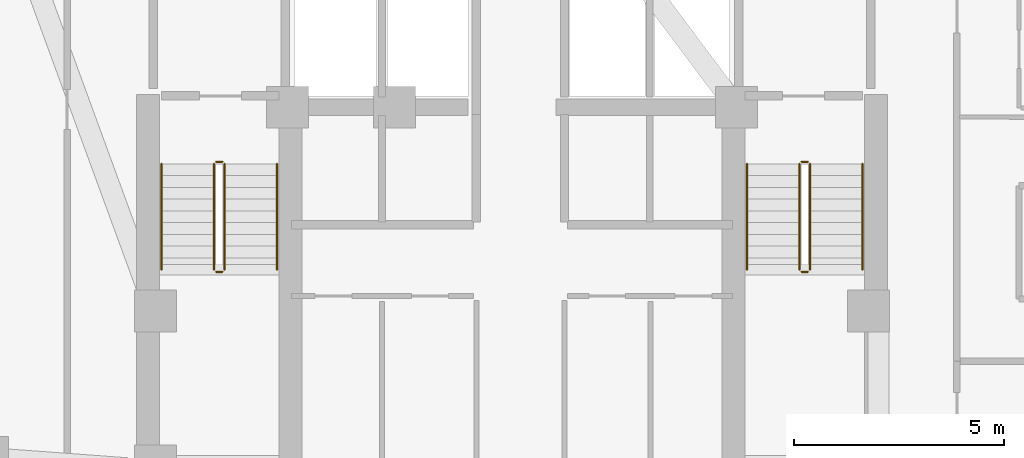
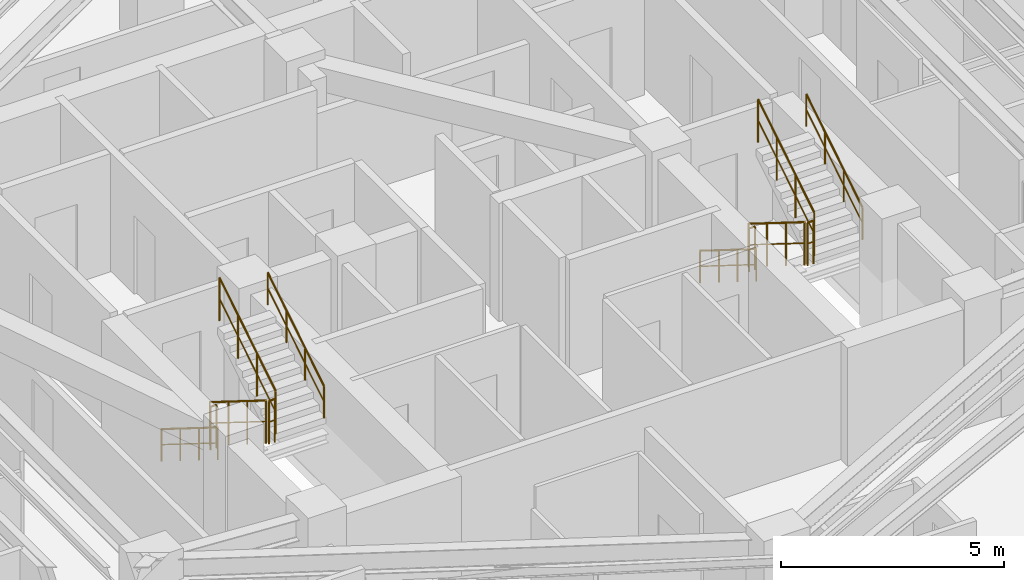
# One storey, part 11 of 11: 12 railings.
"""IFC4 building model written with IfcOpenShell, lengths in metres."""

import ifcopenshell
import ifcopenshell.guid

model = None  # the IFC model being written
_history = None  # IfcOwnerHistory: only IFC2X3 demands one
_inside = {}  # id of a spatial element -> (the spatial element, [elements in it])
_under = {}  # id of a project, library or spatial element -> (it, [spatial elements below it])
_declared = {}  # id of a project -> (the project, [libraries it declares])
_typed = {}  # id of a type object -> (the type object, [elements of that type])
_made_of = {}  # id of a material, layer set ... -> (it, [elements and type objects made of it])


def new_model(schema):
    """Start an empty IFC model of exactly this schema.

    Asked for "IFC4X3", IfcOpenShell would pick the latest addendum, in which some entities
    have other attributes; the version numbers below select the first issue.
    IFC2X3 requires an IfcOwnerHistory on every rooted entity: one is made here for all.
    """
    global model, _history
    if schema == "IFC4X3":
        model = ifcopenshell.file(schema_version=(4, 3, 0, 0))
    else:
        model = ifcopenshell.file(schema=schema)
    _inside.clear()
    _under.clear()
    _declared.clear()
    _typed.clear()
    _made_of.clear()
    _history = None
    if model.schema == "IFC2X3":
        org = make("IfcOrganization", Name="unknown")
        user = make(
            "IfcPersonAndOrganization",
            ThePerson=make("IfcPerson", FamilyName="unknown"),
            TheOrganization=org,
        )
        app = make(
            "IfcApplication",
            ApplicationDeveloper=org,
            Version="unknown",
            ApplicationFullName="unknown",
            ApplicationIdentifier="unknown",
        )
        _history = make(
            "IfcOwnerHistory",
            OwningUser=user,
            OwningApplication=app,
            ChangeAction="ADDED",
            CreationDate=0,
        )
    return model


def make(cls, **values):
    """One entity of the class cls with the attributes given. An attribute that is None is left unset."""
    return model.create_entity(
        cls, **{name: value for name, value in values.items() if value is not None}
    )


def rooted(cls, **values):
    """An entity with a GlobalId (a new one), such as an element, a storey or a relation."""
    return make(cls, GlobalId=ifcopenshell.guid.new(), OwnerHistory=_history, **values)


def si_unit(unit_type, name, prefix=None):
    """IfcSIUnit, for example si_unit("LENGTHUNIT", "METRE", prefix="MILLI")."""
    return make("IfcSIUnit", UnitType=unit_type, Prefix=prefix, Name=name)


def assignment(units):
    """IfcUnitAssignment: the units of a project."""
    return None if units is None else make("IfcUnitAssignment", Units=units)


def point(xyz):
    """IfcCartesianPoint."""
    return None if xyz is None else make("IfcCartesianPoint", Coordinates=xyz)


def direction(xyz):
    """IfcDirection."""
    return None if xyz is None else make("IfcDirection", DirectionRatios=xyz)


def frame(location, z_axis=None, x_axis=None):
    """IfcAxis2Placement3D, a coordinate frame: its origin and axes. An axis left out is left unset."""
    return make(
        "IfcAxis2Placement3D",
        Location=point(location),
        Axis=direction(z_axis),
        RefDirection=direction(x_axis),
    )


def frame_2d(location, x_axis=None):
    """IfcAxis2Placement2D, a coordinate frame in the plane: its origin and x axis."""
    return make(
        "IfcAxis2Placement2D", Location=point(location), RefDirection=direction(x_axis)
    )


def origin():
    """The frame at (0, 0, 0) with its axes left unset."""
    return frame((0.0, 0.0, 0.0))


def origin_2d():
    """The frame at (0, 0) in the plane with its x axis left unset."""
    return frame_2d((0.0, 0.0))


def place(relative_to, where):
    """IfcLocalPlacement: puts the frame where relative to a parent placement (None: the world)."""
    return make(
        "IfcLocalPlacement", PlacementRelTo=relative_to, RelativePlacement=where
    )


def context(
    kind, dimensions, precision=None, world=None, true_north=None, identifier=None
):
    """IfcGeometricRepresentationContext, for example the 3D "Model" context."""
    return make(
        "IfcGeometricRepresentationContext",
        ContextIdentifier=identifier,
        ContextType=kind,
        CoordinateSpaceDimension=dimensions,
        Precision=precision,
        WorldCoordinateSystem=world,
        TrueNorth=true_north,
    )


def subcontext(parent, identifier, kind, view, scale=None):
    """IfcGeometricRepresentationSubContext, for example "Body" below "Model"."""
    return make(
        "IfcGeometricRepresentationSubContext",
        ContextIdentifier=identifier,
        ContextType=kind,
        ParentContext=parent,
        TargetScale=scale,
        TargetView=view,
    )


def project(units=None, contexts=None):
    """IfcProject with its units and contexts."""
    return rooted(
        "IfcProject",
        Name="project",
        RepresentationContexts=contexts,
        UnitsInContext=assignment(units),
    )


def spatial(cls, under=None, at=None, **own):
    """A site, building, storey or space (cls), placed at a placement, below another one or the project."""
    s = rooted(cls, ObjectPlacement=at, **own)
    if under is not None:
        _under.setdefault(under.id(), (under, []))[1].append(s)
    return s


def profile(cls, at=None, kind="AREA", **sizes):
    """A parametric profile (cls). Its sizes go by their IFC names, for example OverallWidth=200.0."""
    return make(cls, ProfileType=kind, Position=at, **sizes)


def circle(**sizes):
    """IfcCircleProfileDef."""
    return profile("IfcCircleProfileDef", **sizes)


def extrude(swept, where, along, depth):
    """IfcExtrudedAreaSolid: the profile swept, set in the frame where, extruded along a direction by depth."""
    return make(
        "IfcExtrudedAreaSolid",
        SweptArea=swept,
        Position=where,
        ExtrudedDirection=direction(along),
        Depth=depth,
    )


def shape(context_of_items, identifier, shape_type, items):
    """IfcShapeRepresentation: the items that make up one representation, for example the "Body"."""
    return make(
        "IfcShapeRepresentation",
        ContextOfItems=context_of_items,
        RepresentationIdentifier=identifier,
        RepresentationType=shape_type,
        Items=items,
    )


def material(Name=None, Category=None):
    """IfcMaterial."""
    return make("IfcMaterial", Name=Name, Category=Category)


def made_of(thing, what):
    """Note that an element or type object is made of a material, layer set ...; save() writes the relation."""
    if what is not None:
        _made_of.setdefault(what.id(), (what, []))[1].append(thing)
    return thing


def type_object(cls, material=None, **own):
    """A type object (cls), such as IfcWallType, which elements share."""
    return made_of(rooted(cls, **own), material)


def element(
    cls,
    number,
    at=None,
    inside=None,
    cuts=None,
    type_object=None,
    material=None,
    context=None,
    identifier="Body",
    shape_type=None,
    held_by="IfcProductDefinitionShape",
    body=None,
    shapes=None,
    **own,
):
    """One element of the class cls, such as IfcWall. Its Tag is "e" and its number.

    at: its placement. inside: the storey or other place that contains it. cuts: it is an
    opening in that element (IfcRelVoidsElement). A single representation is given by context,
    identifier, shape_type and body (its items); several are given by shapes. held_by: the class
    of the entity that holds the representations. save() writes the other relations.
    """
    e = rooted(cls, Tag="e%d" % number, ObjectPlacement=at, **own)
    if body is not None:
        shapes = [shape(context, identifier, shape_type, body)]
    if shapes is not None:
        e.Representation = make(held_by, Representations=shapes)
    if inside is not None:
        _inside.setdefault(inside.id(), (inside, []))[1].append(e)
    if cuts is not None:
        rooted(
            "IfcRelVoidsElement", RelatingBuildingElement=cuts, RelatedOpeningElement=e
        )
    if type_object is not None:
        _typed.setdefault(type_object.id(), (type_object, []))[1].append(e)
    return made_of(e, material)


def aggregate(whole, parts):
    """IfcRelAggregates: a whole, such as a stair, and the parts it consists of."""
    return rooted("IfcRelAggregates", RelatingObject=whole, RelatedObjects=parts)


def save(model, path):
    """Write the relations noted so far, then the file.

    IfcRelAggregates (storeys below a building ...), IfcRelContainedInSpatialStructure (elements
    in a storey), IfcRelDefinesByType, IfcRelAssociatesMaterial and IfcRelDeclares: one each for
    every whole, place, type object, material and project.
    """
    for whole, parts in _under.values():
        aggregate(whole, parts)
    for where, things in _inside.values():
        rooted(
            "IfcRelContainedInSpatialStructure",
            RelatedElements=things,
            RelatingStructure=where,
        )
    for kind, things in _typed.values():
        rooted("IfcRelDefinesByType", RelatedObjects=things, RelatingType=kind)
    for what, things in _made_of.values():
        rooted("IfcRelAssociatesMaterial", RelatedObjects=things, RelatingMaterial=what)
    for by, libraries in _declared.values():
        rooted("IfcRelDeclares", RelatingContext=by, RelatedDefinitions=libraries)
    model.write(path)


model = new_model("IFC4")

# Units and contexts
model_context = context("Model", 3, precision=1e-05, world=origin(), true_north=direction((0.0, 1.0)))
body_context = subcontext(model_context, "Body", "Model", "MODEL_VIEW")
ifc_project = project(units=[si_unit("LENGTHUNIT", "METRE"), si_unit("AREAUNIT", "SQUARE_METRE"), si_unit("VOLUMEUNIT", "CUBIC_METRE"), si_unit("PLANEANGLEUNIT", "RADIAN"), si_unit("MASSUNIT", "GRAM", prefix="KILO")], contexts=[model_context])

# Site, building, storey
site_placement = place(None, origin())
site = spatial("IfcSite", under=ifc_project, at=site_placement, CompositionType="ELEMENT")
building_placement = place(site_placement, origin())
building = spatial("IfcBuilding", under=site, at=building_placement, Name="Miruveldt Soraemaru", CompositionType="ELEMENT")
storey_placement = place(building_placement, frame((0.0, 0.0, 100.39990234375)))
storey = spatial("IfcBuildingStorey", under=building, at=storey_placement, Name="L27", CompositionType="ELEMENT", Elevation=100.39990234375)

# Railings
ifc_material = material(Name="Steel S355 (355 MPa)", Category="steel")
railing_type_1 = type_object("IfcRailingType", Name="RAIL-HR-900", PredefinedType="HANDRAIL", material=ifc_material)
railing_1_placement = place(storey_placement, frame((35.64990234375, 42.699951171875, 0.175048828125)))
element("IfcRailing", 1, at=railing_1_placement, inside=storey, type_object=railing_type_1, Name="L27 ST-1 stair handrail 1", PredefinedType="HANDRAIL", context=body_context, shape_type="SweptSolid", body=[
    extrude(circle(Radius=0.02392578125, at=origin_2d()), frame((0.0, 0.0, 0.8759765625), z_axis=(0.0, -0.848007534815, 0.529984170421), x_axis=(1.0, 0.0, 0.0)), (0.0, 0.0, 1.0), 2.9716796875),
    extrude(circle(Radius=0.01611328125, at=origin_2d()), frame((0.0, 0.0, 0.449951171875), z_axis=(0.0, -0.848007534815, 0.529984170421), x_axis=(1.0, 0.0, 0.0)), (0.0, 0.0, 1.0), 2.9716796875),
    extrude(circle(Radius=0.02099609375, at=origin_2d()), origin(), (0.0, 0.0, 1.0), 0.851806640625),
    extrude(circle(Radius=0.02099609375, at=origin_2d()), frame((0.0, -0.840087890625, 0.52490234375)), (0.0, 0.0, 1.0), 0.851806640625),
    extrude(circle(Radius=0.02099609375, at=origin_2d()), frame((0.0, -1.679931640625, 1.050048828125)), (0.0, 0.0, 1.0), 0.851806640625),
    extrude(circle(Radius=0.02099609375, at=origin_2d()), frame((0.0, -2.52001953125, 1.574951171875)), (0.0, 0.0, 1.0), 0.851806640625),
])
railing_2_placement = place(storey_placement, frame((38.39990234375, 40.179931640625, 1.925048828125)))
element("IfcRailing", 2, at=railing_2_placement, inside=storey, type_object=railing_type_1, Name="L27 ST-1 stair handrail 2", PredefinedType="HANDRAIL", context=body_context, shape_type="SweptSolid", body=[
    extrude(circle(Radius=0.02392578125, at=origin_2d()), frame((0.0, 0.0, 0.8759765625), z_axis=(0.0, 0.848007534815, 0.529984170421), x_axis=(-1.0, 0.0, 0.0)), (0.0, 0.0, 1.0), 2.9716796875),
    extrude(circle(Radius=0.01611328125, at=origin_2d()), frame((0.0, 0.0, 0.449951171875), z_axis=(0.0, 0.848007534815, 0.529984170421), x_axis=(-1.0, 0.0, 0.0)), (0.0, 0.0, 1.0), 2.9716796875),
    extrude(circle(Radius=0.02099609375, at=origin_2d()), origin(), (0.0, 0.0, 1.0), 0.851806640625),
    extrude(circle(Radius=0.02099609375, at=origin_2d()), frame((0.0, 0.840087890625, 0.52490234375)), (0.0, 0.0, 1.0), 0.851806640625),
    extrude(circle(Radius=0.02099609375, at=origin_2d()), frame((0.0, 1.679931640625, 1.050048828125)), (0.0, 0.0, 1.0), 0.851806640625),
    extrude(circle(Radius=0.02099609375, at=origin_2d()), frame((0.0, 2.52001953125, 1.574951171875)), (0.0, 0.0, 1.0), 0.851806640625),
])
railing_3_placement = place(storey_placement, frame((49.60009765625, 42.699951171875, 0.175048828125)))
element("IfcRailing", 3, at=railing_3_placement, inside=storey, type_object=railing_type_1, Name="L27 ST-2 stair handrail 1", PredefinedType="HANDRAIL", context=body_context, shape_type="SweptSolid", body=[
    extrude(circle(Radius=0.02392578125, at=origin_2d()), frame((0.0, 0.0, 0.8759765625), z_axis=(0.0, -0.848007534815, 0.529984170421), x_axis=(1.0, 0.0, 0.0)), (0.0, 0.0, 1.0), 2.9716796875),
    extrude(circle(Radius=0.01611328125, at=origin_2d()), frame((0.0, 0.0, 0.449951171875), z_axis=(0.0, -0.848007534815, 0.529984170421), x_axis=(1.0, 0.0, 0.0)), (0.0, 0.0, 1.0), 2.9716796875),
    extrude(circle(Radius=0.02099609375, at=origin_2d()), origin(), (0.0, 0.0, 1.0), 0.851806640625),
    extrude(circle(Radius=0.02099609375, at=origin_2d()), frame((0.0, -0.840087890625, 0.52490234375)), (0.0, 0.0, 1.0), 0.851806640625),
    extrude(circle(Radius=0.02099609375, at=origin_2d()), frame((0.0, -1.679931640625, 1.050048828125)), (0.0, 0.0, 1.0), 0.851806640625),
    extrude(circle(Radius=0.02099609375, at=origin_2d()), frame((0.0, -2.52001953125, 1.574951171875)), (0.0, 0.0, 1.0), 0.851806640625),
])
railing_4_placement = place(storey_placement, frame((52.35009765625, 40.179931640625, 1.925048828125)))
element("IfcRailing", 4, at=railing_4_placement, inside=storey, type_object=railing_type_1, Name="L27 ST-2 stair handrail 2", PredefinedType="HANDRAIL", context=body_context, shape_type="SweptSolid", body=[
    extrude(circle(Radius=0.02392578125, at=origin_2d()), frame((0.0, 0.0, 0.8759765625), z_axis=(0.0, 0.848007534815, 0.529984170421), x_axis=(-1.0, 0.0, 0.0)), (0.0, 0.0, 1.0), 2.9716796875),
    extrude(circle(Radius=0.01611328125, at=origin_2d()), frame((0.0, 0.0, 0.449951171875), z_axis=(0.0, 0.848007534815, 0.529984170421), x_axis=(-1.0, 0.0, 0.0)), (0.0, 0.0, 1.0), 2.9716796875),
    extrude(circle(Radius=0.02099609375, at=origin_2d()), origin(), (0.0, 0.0, 1.0), 0.851806640625),
    extrude(circle(Radius=0.02099609375, at=origin_2d()), frame((0.0, 0.840087890625, 0.52490234375)), (0.0, 0.0, 1.0), 0.851806640625),
    extrude(circle(Radius=0.02099609375, at=origin_2d()), frame((0.0, 1.679931640625, 1.050048828125)), (0.0, 0.0, 1.0), 0.851806640625),
    extrude(circle(Radius=0.02099609375, at=origin_2d()), frame((0.0, 2.52001953125, 1.574951171875)), (0.0, 0.0, 1.0), 0.851806640625),
])
railing_type_2 = type_object("IfcRailingType", Name="RAIL-STGUARD-1200", PredefinedType="GUARDRAIL", material=ifc_material)
railing_5_placement = place(storey_placement, frame((36.89990234375, 42.699951171875, 0.175048828125)))
element("IfcRailing", 5, at=railing_5_placement, inside=storey, type_object=railing_type_2, Name="L27 ST-1 stair guard 1", PredefinedType="GUARDRAIL", context=body_context, shape_type="SweptSolid", body=[
    extrude(circle(Radius=0.02392578125, at=origin_2d()), frame((0.0, 0.0, 1.17578125), z_axis=(0.0, -0.848007534815, 0.529984170421), x_axis=(1.0, 0.0, 0.0)), (0.0, 0.0, 1.0), 2.9716796875),
    extrude(circle(Radius=0.01611328125, at=origin_2d()), frame((0.0, 0.0, 0.60009765625), z_axis=(0.0, -0.848007534815, 0.529984170421), x_axis=(1.0, 0.0, 0.0)), (0.0, 0.0, 1.0), 2.9716796875),
    extrude(circle(Radius=0.02099609375, at=origin_2d()), origin(), (0.0, 0.0, 1.0), 1.15185546875),
    extrude(circle(Radius=0.02099609375, at=origin_2d()), frame((0.0, -0.840087890625, 0.52490234375)), (0.0, 0.0, 1.0), 1.15185546875),
    extrude(circle(Radius=0.02099609375, at=origin_2d()), frame((0.0, -1.679931640625, 1.050048828125)), (0.0, 0.0, 1.0), 1.15185546875),
    extrude(circle(Radius=0.02099609375, at=origin_2d()), frame((0.0, -2.52001953125, 1.574951171875)), (0.0, 0.0, 1.0), 1.15185546875),
])
railing_6_placement = place(storey_placement, frame((36.949951171875, 40.1298828125, 1.75)))
element("IfcRailing", 6, at=railing_6_placement, inside=storey, type_object=railing_type_2, Name="L27 ST-1 stair guard 2", PredefinedType="GUARDRAIL", context=body_context, shape_type="SweptSolid", body=[
    extrude(circle(Radius=0.02392578125, at=origin_2d()), frame((0.0, 0.0, 1.17578125), z_axis=(1.0, 0.0, 0.0), x_axis=(0.0, 1.0, 0.0)), (0.0, 0.0, 1.0), 0.150146484375),
    extrude(circle(Radius=0.01611328125, at=origin_2d()), frame((0.0, 0.0, 0.60009765625), z_axis=(1.0, 0.0, 0.0), x_axis=(0.0, 1.0, 0.0)), (0.0, 0.0, 1.0), 0.150146484375),
    extrude(circle(Radius=0.02099609375, at=origin_2d()), origin(), (0.0, 0.0, 1.0), 1.15185546875),
    extrude(circle(Radius=0.02099609375, at=origin_2d()), frame((0.150146484375, 0.0, 0.0)), (0.0, 0.0, 1.0), 1.15185546875),
])
railing_7_placement = place(storey_placement, frame((37.14990234375, 40.179931640625, 1.925048828125)))
element("IfcRailing", 7, at=railing_7_placement, inside=storey, type_object=railing_type_2, Name="L27 ST-1 stair guard 3", PredefinedType="GUARDRAIL", context=body_context, shape_type="SweptSolid", body=[
    extrude(circle(Radius=0.02392578125, at=origin_2d()), frame((0.0, 0.0, 1.17578125), z_axis=(0.0, 0.848007534815, 0.529984170421), x_axis=(-1.0, 0.0, 0.0)), (0.0, 0.0, 1.0), 2.9716796875),
    extrude(circle(Radius=0.01611328125, at=origin_2d()), frame((0.0, 0.0, 0.60009765625), z_axis=(0.0, 0.848007534815, 0.529984170421), x_axis=(-1.0, 0.0, 0.0)), (0.0, 0.0, 1.0), 2.9716796875),
    extrude(circle(Radius=0.02099609375, at=origin_2d()), origin(), (0.0, 0.0, 1.0), 1.15185546875),
    extrude(circle(Radius=0.02099609375, at=origin_2d()), frame((0.0, 0.840087890625, 0.52490234375)), (0.0, 0.0, 1.0), 1.15185546875),
    extrude(circle(Radius=0.02099609375, at=origin_2d()), frame((0.0, 1.679931640625, 1.050048828125)), (0.0, 0.0, 1.0), 1.15185546875),
    extrude(circle(Radius=0.02099609375, at=origin_2d()), frame((0.0, 2.52001953125, 1.574951171875)), (0.0, 0.0, 1.0), 1.15185546875),
])
railing_8_placement = place(storey_placement, frame((36.949951171875, 42.75, 0.0)))
element("IfcRailing", 8, at=railing_8_placement, inside=storey, type_object=railing_type_2, Name="L27 ST-1 stair guard 4", PredefinedType="GUARDRAIL", context=body_context, shape_type="SweptSolid", body=[
    extrude(circle(Radius=0.02392578125, at=origin_2d()), frame((0.0, 0.0, 1.17578125), z_axis=(1.0, 0.0, 0.0), x_axis=(0.0, 1.0, 0.0)), (0.0, 0.0, 1.0), 0.150146484375),
    extrude(circle(Radius=0.01611328125, at=origin_2d()), frame((0.0, 0.0, 0.60009765625), z_axis=(1.0, 0.0, 0.0), x_axis=(0.0, 1.0, 0.0)), (0.0, 0.0, 1.0), 0.150146484375),
    extrude(circle(Radius=0.02099609375, at=origin_2d()), origin(), (0.0, 0.0, 1.0), 1.15185546875),
    extrude(circle(Radius=0.02099609375, at=origin_2d()), frame((0.150146484375, 0.0, 0.0)), (0.0, 0.0, 1.0), 1.15185546875),
])
railing_9_placement = place(storey_placement, frame((50.85009765625, 42.699951171875, 0.175048828125)))
element("IfcRailing", 9, at=railing_9_placement, inside=storey, type_object=railing_type_2, Name="L27 ST-2 stair guard 1", PredefinedType="GUARDRAIL", context=body_context, shape_type="SweptSolid", body=[
    extrude(circle(Radius=0.02392578125, at=origin_2d()), frame((0.0, 0.0, 1.17578125), z_axis=(0.0, -0.848007534815, 0.529984170421), x_axis=(1.0, 0.0, 0.0)), (0.0, 0.0, 1.0), 2.9716796875),
    extrude(circle(Radius=0.01611328125, at=origin_2d()), frame((0.0, 0.0, 0.60009765625), z_axis=(0.0, -0.848007534815, 0.529984170421), x_axis=(1.0, 0.0, 0.0)), (0.0, 0.0, 1.0), 2.9716796875),
    extrude(circle(Radius=0.02099609375, at=origin_2d()), origin(), (0.0, 0.0, 1.0), 1.15185546875),
    extrude(circle(Radius=0.02099609375, at=origin_2d()), frame((0.0, -0.840087890625, 0.52490234375)), (0.0, 0.0, 1.0), 1.15185546875),
    extrude(circle(Radius=0.02099609375, at=origin_2d()), frame((0.0, -1.679931640625, 1.050048828125)), (0.0, 0.0, 1.0), 1.15185546875),
    extrude(circle(Radius=0.02099609375, at=origin_2d()), frame((0.0, -2.52001953125, 1.574951171875)), (0.0, 0.0, 1.0), 1.15185546875),
])
railing_10_placement = place(storey_placement, frame((50.89990234375, 40.1298828125, 1.75)))
element("IfcRailing", 10, at=railing_10_placement, inside=storey, type_object=railing_type_2, Name="L27 ST-2 stair guard 2", PredefinedType="GUARDRAIL", context=body_context, shape_type="SweptSolid", body=[
    extrude(circle(Radius=0.02392578125, at=origin_2d()), frame((0.0, 0.0, 1.17578125), z_axis=(1.0, 0.0, 0.0), x_axis=(0.0, 1.0, 0.0)), (0.0, 0.0, 1.0), 0.150146484375),
    extrude(circle(Radius=0.01611328125, at=origin_2d()), frame((0.0, 0.0, 0.60009765625), z_axis=(1.0, 0.0, 0.0), x_axis=(0.0, 1.0, 0.0)), (0.0, 0.0, 1.0), 0.150146484375),
    extrude(circle(Radius=0.02099609375, at=origin_2d()), origin(), (0.0, 0.0, 1.0), 1.15185546875),
    extrude(circle(Radius=0.02099609375, at=origin_2d()), frame((0.150146484375, 0.0, 0.0)), (0.0, 0.0, 1.0), 1.15185546875),
])
railing_11_placement = place(storey_placement, frame((51.10009765625, 40.179931640625, 1.925048828125)))
element("IfcRailing", 11, at=railing_11_placement, inside=storey, type_object=railing_type_2, Name="L27 ST-2 stair guard 3", PredefinedType="GUARDRAIL", context=body_context, shape_type="SweptSolid", body=[
    extrude(circle(Radius=0.02392578125, at=origin_2d()), frame((0.0, 0.0, 1.17578125), z_axis=(0.0, 0.848007534815, 0.529984170421), x_axis=(-1.0, 0.0, 0.0)), (0.0, 0.0, 1.0), 2.9716796875),
    extrude(circle(Radius=0.01611328125, at=origin_2d()), frame((0.0, 0.0, 0.60009765625), z_axis=(0.0, 0.848007534815, 0.529984170421), x_axis=(-1.0, 0.0, 0.0)), (0.0, 0.0, 1.0), 2.9716796875),
    extrude(circle(Radius=0.02099609375, at=origin_2d()), origin(), (0.0, 0.0, 1.0), 1.15185546875),
    extrude(circle(Radius=0.02099609375, at=origin_2d()), frame((0.0, 0.840087890625, 0.52490234375)), (0.0, 0.0, 1.0), 1.15185546875),
    extrude(circle(Radius=0.02099609375, at=origin_2d()), frame((0.0, 1.679931640625, 1.050048828125)), (0.0, 0.0, 1.0), 1.15185546875),
    extrude(circle(Radius=0.02099609375, at=origin_2d()), frame((0.0, 2.52001953125, 1.574951171875)), (0.0, 0.0, 1.0), 1.15185546875),
])
railing_12_placement = place(storey_placement, frame((50.89990234375, 42.75, 0.0)))
element("IfcRailing", 12, at=railing_12_placement, inside=storey, type_object=railing_type_2, Name="L27 ST-2 stair guard 4", PredefinedType="GUARDRAIL", context=body_context, shape_type="SweptSolid", body=[
    extrude(circle(Radius=0.02392578125, at=origin_2d()), frame((0.0, 0.0, 1.17578125), z_axis=(1.0, 0.0, 0.0), x_axis=(0.0, 1.0, 0.0)), (0.0, 0.0, 1.0), 0.150146484375),
    extrude(circle(Radius=0.01611328125, at=origin_2d()), frame((0.0, 0.0, 0.60009765625), z_axis=(1.0, 0.0, 0.0), x_axis=(0.0, 1.0, 0.0)), (0.0, 0.0, 1.0), 0.150146484375),
    extrude(circle(Radius=0.02099609375, at=origin_2d()), origin(), (0.0, 0.0, 1.0), 1.15185546875),
    extrude(circle(Radius=0.02099609375, at=origin_2d()), frame((0.150146484375, 0.0, 0.0)), (0.0, 0.0, 1.0), 1.15185546875),
])

save(model, "model.ifc")
